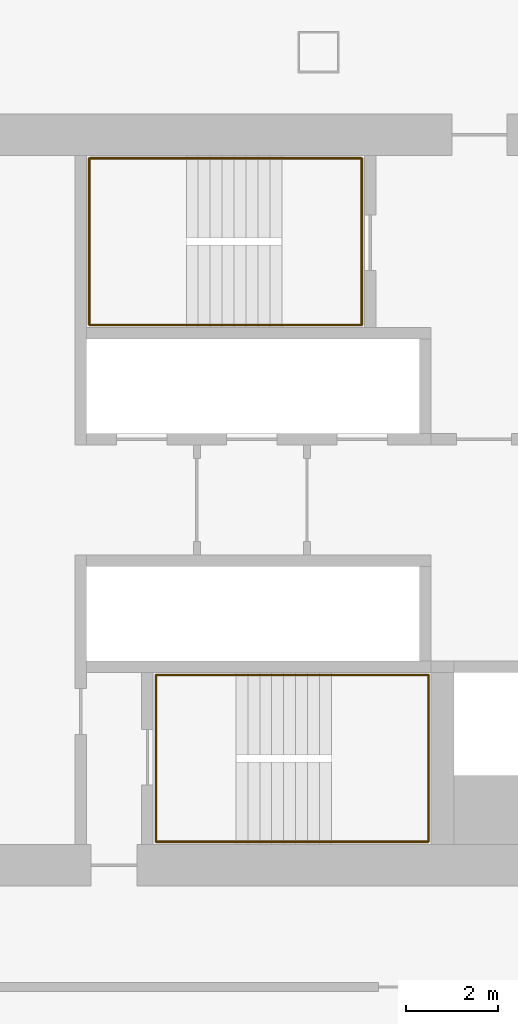
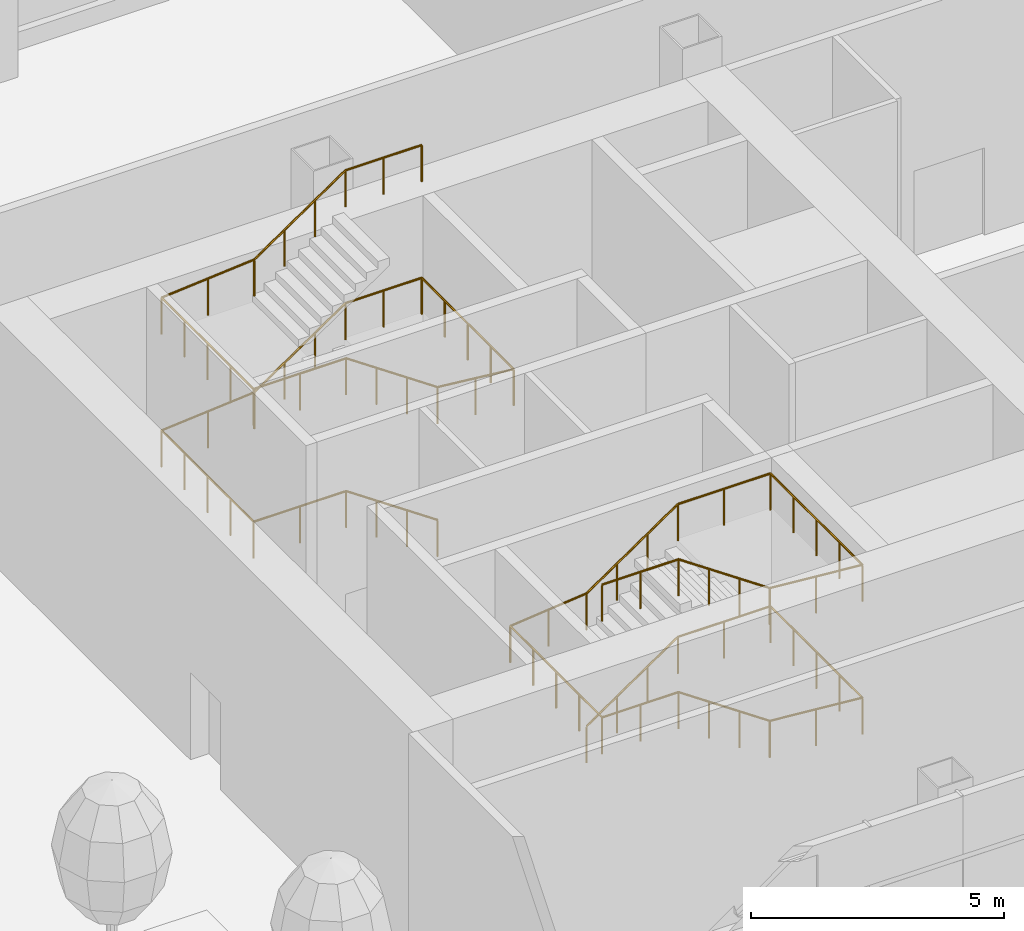
# One storey, part 35 of 44: 2 railings.
"""IFC4 building model written with IfcOpenShell, lengths in metres."""

from ifc_helpers import new_model, si_unit, direction, frame, origin, origin_2d, place, context, subcontext, project, spatial, circle, extrude, material, type_object, element, save


model = new_model("IFC4")

# Units and contexts
model_context = context("Model", 3, precision=1e-05, world=origin(), true_north=direction((0.0, 1.0)))
body_context = subcontext(model_context, "Body", "Model", "MODEL_VIEW")
ifc_project = project(units=[si_unit("LENGTHUNIT", "METRE"), si_unit("AREAUNIT", "SQUARE_METRE"), si_unit("VOLUMEUNIT", "CUBIC_METRE"), si_unit("PLANEANGLEUNIT", "RADIAN"), si_unit("MASSUNIT", "GRAM", prefix="KILO")], contexts=[model_context])

# Site, building, storey
site_placement = place(None, origin())
site = spatial("IfcSite", under=ifc_project, at=site_placement, CompositionType="ELEMENT")
building_placement = place(site_placement, origin())
building = spatial("IfcBuilding", under=site, at=building_placement, Name="Hakoniwa Tower and Hamabe Station Hall", CompositionType="ELEMENT")
storey_placement = place(building_placement, frame((0.0, 0.0, 69.0)))
storey = spatial("IfcBuildingStorey", under=building, at=storey_placement, Name="L19", CompositionType="ELEMENT", Elevation=69.0)

# Railings
ifc_material = material(Name="Stainless steel SUS304", Category="steel")
railing_type = type_object("IfcRailingType", Name="STAIR HANDRAIL 900", PredefinedType="HANDRAIL", material=ifc_material)
railing_1_placement = place(storey_placement, frame((24.39990234375, 3.81005859375, 0.177734375)))
element("IfcRailing", 1, at=railing_1_placement, inside=storey, type_object=railing_type, Name="Handrail ST-3 L19 1", PredefinedType="HANDRAIL", context=body_context, shape_type="SweptSolid", body=[
    extrude(circle(Radius=0.02392578125, at=origin_2d()), frame((0.0, 0.0, 0.8759765625), z_axis=(-0.825433201882, 0.0, 0.564499804456), x_axis=(0.0, -1.0, 0.0)), (0.0, 0.0, 1.0), 2.519775390625),
    extrude(circle(Radius=0.02392578125, at=origin_2d()), frame((-2.079833984375, 0.0, 2.29833984375), z_axis=(-1.0, 0.0, 0.0), x_axis=(0.0, -1.0, 0.0)), (0.0, 0.0, 1.0), 2.110107421875),
    extrude(circle(Radius=0.02392578125, at=origin_2d()), frame((-4.18994140625, 0.0, 2.29833984375), z_axis=(0.0, 1.0, 0.0), x_axis=(-1.0, 0.0, 0.0)), (0.0, 0.0, 1.0), 3.6298828125),
    extrude(circle(Radius=0.02392578125, at=origin_2d()), frame((-4.18994140625, 3.6298828125, 2.29833984375), z_axis=(0.996471417081, 0.0, 0.083932800143), x_axis=(0.0, 1.0, 0.0)), (0.0, 0.0, 1.0), 2.11767578125),
    extrude(circle(Radius=0.02392578125, at=origin_2d()), frame((-2.079833984375, 3.6298828125, 2.47607421875), z_axis=(0.825478349766, 0.0, 0.564433781827), x_axis=(0.0, 1.0, 0.0)), (0.0, 0.0, 1.0), 2.51953125),
    extrude(circle(Radius=0.02392578125, at=origin_2d()), frame((0.0, 3.6298828125, 3.89794921875), z_axis=(1.0, 0.0, 0.0), x_axis=(0.0, 1.0, 0.0)), (0.0, 0.0, 1.0), 1.739990234375),
    extrude(circle(Radius=0.02392578125, at=origin_2d()), frame((1.739990234375, 3.6298828125, 3.89794921875), z_axis=(0.0, -1.0, 0.0), x_axis=(1.0, 0.0, 0.0)), (0.0, 0.0, 1.0), 3.6298828125),
    extrude(circle(Radius=0.02392578125, at=origin_2d()), frame((1.739990234375, 0.0, 3.89794921875), z_axis=(-0.994823492686, 0.0, 0.10161800234), x_axis=(0.0, -1.0, 0.0)), (0.0, 0.0, 1.0), 1.7490234375),
    extrude(circle(Radius=0.02392578125, at=origin_2d()), frame((0.0, 0.0, 4.07568359375), z_axis=(-0.825433201882, 0.0, 0.564499804456), x_axis=(0.0, -1.0, 0.0)), (0.0, 0.0, 1.0), 2.519775390625),
    extrude(circle(Radius=0.02392578125, at=origin_2d()), frame((-2.079833984375, 0.0, 5.498046875), z_axis=(-1.0, 0.0, 0.0), x_axis=(0.0, -1.0, 0.0)), (0.0, 0.0, 1.0), 2.110107421875),
    extrude(circle(Radius=0.02392578125, at=origin_2d()), frame((-4.18994140625, 0.0, 5.498046875), z_axis=(0.0, 1.0, 0.0), x_axis=(-1.0, 0.0, 0.0)), (0.0, 0.0, 1.0), 3.6298828125),
    extrude(circle(Radius=0.02392578125, at=origin_2d()), frame((-4.18994140625, 3.6298828125, 5.498046875), z_axis=(0.996471417081, 0.0, 0.083932800143), x_axis=(0.0, 1.0, 0.0)), (0.0, 0.0, 1.0), 2.11767578125),
    extrude(circle(Radius=0.02392578125, at=origin_2d()), frame((-2.079833984375, 3.6298828125, 5.67578125), z_axis=(0.825478349766, 0.0, 0.564433781827), x_axis=(0.0, 1.0, 0.0)), (0.0, 0.0, 1.0), 2.51953125),
    extrude(circle(Radius=0.02392578125, at=origin_2d()), frame((0.0, 3.6298828125, 7.09814453125), z_axis=(1.0, 0.0, 0.0), x_axis=(0.0, 1.0, 0.0)), (0.0, 0.0, 1.0), 1.739990234375),
    extrude(circle(Radius=0.02099609375, at=origin_2d()), origin(), (0.0, 0.0, 1.0), 0.851806640625),
    extrude(circle(Radius=0.02099609375, at=origin_2d()), frame((-0.693359375, 0.0, 0.47412109375)), (0.0, 0.0, 1.0), 0.851806640625),
    extrude(circle(Radius=0.02099609375, at=origin_2d()), frame((-1.386474609375, 0.0, 0.9482421875)), (0.0, 0.0, 1.0), 0.851806640625),
    extrude(circle(Radius=0.02099609375, at=origin_2d()), frame((-2.079833984375, 0.0, 1.42236328125)), (0.0, 0.0, 1.0), 0.851806640625),
    extrude(circle(Radius=0.02099609375, at=origin_2d()), frame((-3.134765625, 0.0, 1.42236328125)), (0.0, 0.0, 1.0), 0.851806640625),
    extrude(circle(Radius=0.02099609375, at=origin_2d()), frame((-4.18994140625, 0.0, 1.42236328125)), (0.0, 0.0, 1.0), 0.851806640625),
    extrude(circle(Radius=0.02099609375, at=origin_2d()), frame((-4.18994140625, 0.907470703125, 1.42236328125)), (0.0, 0.0, 1.0), 0.851806640625),
    extrude(circle(Radius=0.02099609375, at=origin_2d()), frame((-4.18994140625, 1.81494140625, 1.42236328125)), (0.0, 0.0, 1.0), 0.851806640625),
    extrude(circle(Radius=0.02099609375, at=origin_2d()), frame((-4.18994140625, 2.722412109375, 1.42236328125)), (0.0, 0.0, 1.0), 0.851806640625),
    extrude(circle(Radius=0.02099609375, at=origin_2d()), frame((-4.18994140625, 3.6298828125, 1.42236328125)), (0.0, 0.0, 1.0), 0.851806640625),
    extrude(circle(Radius=0.02099609375, at=origin_2d()), frame((-3.134765625, 3.6298828125, 1.51123046875)), (0.0, 0.0, 1.0), 0.851806640625),
    extrude(circle(Radius=0.02099609375, at=origin_2d()), frame((-2.079833984375, 3.6298828125, 1.60009765625)), (0.0, 0.0, 1.0), 0.851806640625),
    extrude(circle(Radius=0.02099609375, at=origin_2d()), frame((-1.386474609375, 3.6298828125, 2.07421875)), (0.0, 0.0, 1.0), 0.851806640625),
    extrude(circle(Radius=0.02099609375, at=origin_2d()), frame((-0.693359375, 3.6298828125, 2.548095703125)), (0.0, 0.0, 1.0), 0.851806640625),
    extrude(circle(Radius=0.02099609375, at=origin_2d()), frame((0.0, 3.6298828125, 3.022216796875)), (0.0, 0.0, 1.0), 0.851806640625),
    extrude(circle(Radius=0.02099609375, at=origin_2d()), frame((0.8701171875, 3.6298828125, 3.022216796875)), (0.0, 0.0, 1.0), 0.851806640625),
    extrude(circle(Radius=0.02099609375, at=origin_2d()), frame((1.739990234375, 3.6298828125, 3.022216796875)), (0.0, 0.0, 1.0), 0.851806640625),
    extrude(circle(Radius=0.02099609375, at=origin_2d()), frame((1.739990234375, 2.722412109375, 3.022216796875)), (0.0, 0.0, 1.0), 0.851806640625),
    extrude(circle(Radius=0.02099609375, at=origin_2d()), frame((1.739990234375, 1.81494140625, 3.022216796875)), (0.0, 0.0, 1.0), 0.851806640625),
    extrude(circle(Radius=0.02099609375, at=origin_2d()), frame((1.739990234375, 0.907470703125, 3.022216796875)), (0.0, 0.0, 1.0), 0.851806640625),
    extrude(circle(Radius=0.02099609375, at=origin_2d()), frame((1.739990234375, 0.0, 3.022216796875)), (0.0, 0.0, 1.0), 0.851806640625),
    extrude(circle(Radius=0.02099609375, at=origin_2d()), frame((0.8701171875, 0.0, 3.111083984375)), (0.0, 0.0, 1.0), 0.851806640625),
    extrude(circle(Radius=0.02099609375, at=origin_2d()), frame((0.0, 0.0, 3.199951171875)), (0.0, 0.0, 1.0), 0.851806640625),
    extrude(circle(Radius=0.02099609375, at=origin_2d()), frame((-0.693359375, 0.0, 3.674072265625)), (0.0, 0.0, 1.0), 0.851806640625),
    extrude(circle(Radius=0.02099609375, at=origin_2d()), frame((-1.386474609375, 0.0, 4.148193359375)), (0.0, 0.0, 1.0), 0.851806640625),
    extrude(circle(Radius=0.02099609375, at=origin_2d()), frame((-2.079833984375, 0.0, 4.622314453125)), (0.0, 0.0, 1.0), 0.851806640625),
    extrude(circle(Radius=0.02099609375, at=origin_2d()), frame((-3.134765625, 0.0, 4.622314453125)), (0.0, 0.0, 1.0), 0.851806640625),
    extrude(circle(Radius=0.02099609375, at=origin_2d()), frame((-4.18994140625, 0.0, 4.622314453125)), (0.0, 0.0, 1.0), 0.851806640625),
    extrude(circle(Radius=0.02099609375, at=origin_2d()), frame((-4.18994140625, 0.907470703125, 4.622314453125)), (0.0, 0.0, 1.0), 0.851806640625),
    extrude(circle(Radius=0.02099609375, at=origin_2d()), frame((-4.18994140625, 1.81494140625, 4.622314453125)), (0.0, 0.0, 1.0), 0.851806640625),
    extrude(circle(Radius=0.02099609375, at=origin_2d()), frame((-4.18994140625, 2.722412109375, 4.622314453125)), (0.0, 0.0, 1.0), 0.851806640625),
    extrude(circle(Radius=0.02099609375, at=origin_2d()), frame((-4.18994140625, 3.6298828125, 4.622314453125)), (0.0, 0.0, 1.0), 0.851806640625),
    extrude(circle(Radius=0.02099609375, at=origin_2d()), frame((-3.134765625, 3.6298828125, 4.711181640625)), (0.0, 0.0, 1.0), 0.851806640625),
    extrude(circle(Radius=0.02099609375, at=origin_2d()), frame((-2.079833984375, 3.6298828125, 4.800048828125)), (0.0, 0.0, 1.0), 0.851806640625),
    extrude(circle(Radius=0.02099609375, at=origin_2d()), frame((-1.386474609375, 3.6298828125, 5.274169921875)), (0.0, 0.0, 1.0), 0.851806640625),
    extrude(circle(Radius=0.02099609375, at=origin_2d()), frame((-0.693359375, 3.6298828125, 5.748046875)), (0.0, 0.0, 1.0), 0.851806640625),
    extrude(circle(Radius=0.02099609375, at=origin_2d()), frame((0.0, 3.6298828125, 6.22216796875)), (0.0, 0.0, 1.0), 0.851806640625),
    extrude(circle(Radius=0.02099609375, at=origin_2d()), frame((0.8701171875, 3.6298828125, 6.22216796875)), (0.0, 0.0, 1.0), 0.851806640625),
    extrude(circle(Radius=0.02099609375, at=origin_2d()), frame((1.739990234375, 3.6298828125, 6.22216796875)), (0.0, 0.0, 1.0), 0.851806640625),
])
railing_2_placement = place(storey_placement, frame((23.39990234375, -3.81005859375, 0.177734375)))
element("IfcRailing", 2, at=railing_2_placement, inside=storey, type_object=railing_type, Name="Handrail ST-4 L19 1", PredefinedType="HANDRAIL", context=body_context, shape_type="SweptSolid", body=[
    extrude(circle(Radius=0.02392578125, at=origin_2d()), frame((0.0, 0.0, 0.8759765625), z_axis=(0.825464074169, 0.0, 0.564454659168), x_axis=(0.0, 1.0, 0.0)), (0.0, 0.0, 1.0), 2.519775390625),
    extrude(circle(Radius=0.02392578125, at=origin_2d()), frame((2.080078125, 0.0, 2.29833984375), z_axis=(1.0, 0.0, 0.0), x_axis=(0.0, 1.0, 0.0)), (0.0, 0.0, 1.0), 2.110107421875),
    extrude(circle(Radius=0.02392578125, at=origin_2d()), frame((4.190185546875, 0.0, 2.29833984375), z_axis=(0.0, -1.0, 0.0), x_axis=(1.0, 0.0, 0.0)), (0.0, 0.0, 1.0), 3.6298828125),
    extrude(circle(Radius=0.02392578125, at=origin_2d()), frame((4.190185546875, -3.6298828125, 2.29833984375), z_axis=(-0.996471417081, 0.0, 0.083932800143), x_axis=(0.0, -1.0, 0.0)), (0.0, 0.0, 1.0), 2.11767578125),
    extrude(circle(Radius=0.02392578125, at=origin_2d()), frame((2.080078125, -3.6298828125, 2.47607421875), z_axis=(-0.82550921652, 0.0, 0.564388636881), x_axis=(0.0, -1.0, 0.0)), (0.0, 0.0, 1.0), 2.519775390625),
    extrude(circle(Radius=0.02392578125, at=origin_2d()), frame((0.0, -3.6298828125, 3.89794921875), z_axis=(-1.0, 0.0, 0.0), x_axis=(0.0, -1.0, 0.0)), (0.0, 0.0, 1.0), 1.739990234375),
    extrude(circle(Radius=0.02392578125, at=origin_2d()), frame((-1.739990234375, -3.6298828125, 3.89794921875), z_axis=(0.0, 1.0, 0.0), x_axis=(-1.0, 0.0, 0.0)), (0.0, 0.0, 1.0), 3.6298828125),
    extrude(circle(Radius=0.02392578125, at=origin_2d()), frame((-1.739990234375, 0.0, 3.89794921875), z_axis=(0.994823492686, 0.0, 0.10161800234), x_axis=(0.0, 1.0, 0.0)), (0.0, 0.0, 1.0), 1.7490234375),
    extrude(circle(Radius=0.02392578125, at=origin_2d()), frame((0.0, 0.0, 4.07568359375), z_axis=(0.825464074169, 0.0, 0.564454659168), x_axis=(0.0, 1.0, 0.0)), (0.0, 0.0, 1.0), 2.519775390625),
    extrude(circle(Radius=0.02392578125, at=origin_2d()), frame((2.080078125, 0.0, 5.498046875), z_axis=(1.0, 0.0, 0.0), x_axis=(0.0, 1.0, 0.0)), (0.0, 0.0, 1.0), 2.110107421875),
    extrude(circle(Radius=0.02392578125, at=origin_2d()), frame((4.190185546875, 0.0, 5.498046875), z_axis=(0.0, -1.0, 0.0), x_axis=(1.0, 0.0, 0.0)), (0.0, 0.0, 1.0), 3.6298828125),
    extrude(circle(Radius=0.02392578125, at=origin_2d()), frame((4.190185546875, -3.6298828125, 5.498046875), z_axis=(-0.996471417081, 0.0, 0.083932800143), x_axis=(0.0, -1.0, 0.0)), (0.0, 0.0, 1.0), 2.11767578125),
    extrude(circle(Radius=0.02392578125, at=origin_2d()), frame((2.080078125, -3.6298828125, 5.67578125), z_axis=(-0.82550921652, 0.0, 0.564388636881), x_axis=(0.0, -1.0, 0.0)), (0.0, 0.0, 1.0), 2.519775390625),
    extrude(circle(Radius=0.02392578125, at=origin_2d()), frame((0.0, -3.6298828125, 7.09814453125), z_axis=(-1.0, 0.0, 0.0), x_axis=(0.0, -1.0, 0.0)), (0.0, 0.0, 1.0), 1.739990234375),
    extrude(circle(Radius=0.02099609375, at=origin_2d()), origin(), (0.0, 0.0, 1.0), 0.851806640625),
    extrude(circle(Radius=0.02099609375, at=origin_2d()), frame((0.693359375, 0.0, 0.47412109375)), (0.0, 0.0, 1.0), 0.851806640625),
    extrude(circle(Radius=0.02099609375, at=origin_2d()), frame((1.38671875, 0.0, 0.9482421875)), (0.0, 0.0, 1.0), 0.851806640625),
    extrude(circle(Radius=0.02099609375, at=origin_2d()), frame((2.080078125, 0.0, 1.42236328125)), (0.0, 0.0, 1.0), 0.851806640625),
    extrude(circle(Radius=0.02099609375, at=origin_2d()), frame((3.13525390625, 0.0, 1.42236328125)), (0.0, 0.0, 1.0), 0.851806640625),
    extrude(circle(Radius=0.02099609375, at=origin_2d()), frame((4.190185546875, 0.0, 1.42236328125)), (0.0, 0.0, 1.0), 0.851806640625),
    extrude(circle(Radius=0.02099609375, at=origin_2d()), frame((4.190185546875, -0.907470703125, 1.42236328125)), (0.0, 0.0, 1.0), 0.851806640625),
    extrude(circle(Radius=0.02099609375, at=origin_2d()), frame((4.190185546875, -1.81494140625, 1.42236328125)), (0.0, 0.0, 1.0), 0.851806640625),
    extrude(circle(Radius=0.02099609375, at=origin_2d()), frame((4.190185546875, -2.722412109375, 1.42236328125)), (0.0, 0.0, 1.0), 0.851806640625),
    extrude(circle(Radius=0.02099609375, at=origin_2d()), frame((4.190185546875, -3.6298828125, 1.42236328125)), (0.0, 0.0, 1.0), 0.851806640625),
    extrude(circle(Radius=0.02099609375, at=origin_2d()), frame((3.13525390625, -3.6298828125, 1.51123046875)), (0.0, 0.0, 1.0), 0.851806640625),
    extrude(circle(Radius=0.02099609375, at=origin_2d()), frame((2.080078125, -3.6298828125, 1.60009765625)), (0.0, 0.0, 1.0), 0.851806640625),
    extrude(circle(Radius=0.02099609375, at=origin_2d()), frame((1.38671875, -3.6298828125, 2.07421875)), (0.0, 0.0, 1.0), 0.851806640625),
    extrude(circle(Radius=0.02099609375, at=origin_2d()), frame((0.693359375, -3.6298828125, 2.548095703125)), (0.0, 0.0, 1.0), 0.851806640625),
    extrude(circle(Radius=0.02099609375, at=origin_2d()), frame((0.0, -3.6298828125, 3.022216796875)), (0.0, 0.0, 1.0), 0.851806640625),
    extrude(circle(Radius=0.02099609375, at=origin_2d()), frame((-0.8701171875, -3.6298828125, 3.022216796875)), (0.0, 0.0, 1.0), 0.851806640625),
    extrude(circle(Radius=0.02099609375, at=origin_2d()), frame((-1.739990234375, -3.6298828125, 3.022216796875)), (0.0, 0.0, 1.0), 0.851806640625),
    extrude(circle(Radius=0.02099609375, at=origin_2d()), frame((-1.739990234375, -2.722412109375, 3.022216796875)), (0.0, 0.0, 1.0), 0.851806640625),
    extrude(circle(Radius=0.02099609375, at=origin_2d()), frame((-1.739990234375, -1.81494140625, 3.022216796875)), (0.0, 0.0, 1.0), 0.851806640625),
    extrude(circle(Radius=0.02099609375, at=origin_2d()), frame((-1.739990234375, -0.907470703125, 3.022216796875)), (0.0, 0.0, 1.0), 0.851806640625),
    extrude(circle(Radius=0.02099609375, at=origin_2d()), frame((-1.739990234375, 0.0, 3.022216796875)), (0.0, 0.0, 1.0), 0.851806640625),
    extrude(circle(Radius=0.02099609375, at=origin_2d()), frame((-0.8701171875, 0.0, 3.111083984375)), (0.0, 0.0, 1.0), 0.851806640625),
    extrude(circle(Radius=0.02099609375, at=origin_2d()), frame((0.0, 0.0, 3.199951171875)), (0.0, 0.0, 1.0), 0.851806640625),
    extrude(circle(Radius=0.02099609375, at=origin_2d()), frame((0.693359375, 0.0, 3.674072265625)), (0.0, 0.0, 1.0), 0.851806640625),
    extrude(circle(Radius=0.02099609375, at=origin_2d()), frame((1.38671875, 0.0, 4.148193359375)), (0.0, 0.0, 1.0), 0.851806640625),
    extrude(circle(Radius=0.02099609375, at=origin_2d()), frame((2.080078125, 0.0, 4.622314453125)), (0.0, 0.0, 1.0), 0.851806640625),
    extrude(circle(Radius=0.02099609375, at=origin_2d()), frame((3.13525390625, 0.0, 4.622314453125)), (0.0, 0.0, 1.0), 0.851806640625),
    extrude(circle(Radius=0.02099609375, at=origin_2d()), frame((4.190185546875, 0.0, 4.622314453125)), (0.0, 0.0, 1.0), 0.851806640625),
    extrude(circle(Radius=0.02099609375, at=origin_2d()), frame((4.190185546875, -0.907470703125, 4.622314453125)), (0.0, 0.0, 1.0), 0.851806640625),
    extrude(circle(Radius=0.02099609375, at=origin_2d()), frame((4.190185546875, -1.81494140625, 4.622314453125)), (0.0, 0.0, 1.0), 0.851806640625),
    extrude(circle(Radius=0.02099609375, at=origin_2d()), frame((4.190185546875, -2.722412109375, 4.622314453125)), (0.0, 0.0, 1.0), 0.851806640625),
    extrude(circle(Radius=0.02099609375, at=origin_2d()), frame((4.190185546875, -3.6298828125, 4.622314453125)), (0.0, 0.0, 1.0), 0.851806640625),
    extrude(circle(Radius=0.02099609375, at=origin_2d()), frame((3.13525390625, -3.6298828125, 4.711181640625)), (0.0, 0.0, 1.0), 0.851806640625),
    extrude(circle(Radius=0.02099609375, at=origin_2d()), frame((2.080078125, -3.6298828125, 4.800048828125)), (0.0, 0.0, 1.0), 0.851806640625),
    extrude(circle(Radius=0.02099609375, at=origin_2d()), frame((1.38671875, -3.6298828125, 5.274169921875)), (0.0, 0.0, 1.0), 0.851806640625),
    extrude(circle(Radius=0.02099609375, at=origin_2d()), frame((0.693359375, -3.6298828125, 5.748046875)), (0.0, 0.0, 1.0), 0.851806640625),
    extrude(circle(Radius=0.02099609375, at=origin_2d()), frame((0.0, -3.6298828125, 6.22216796875)), (0.0, 0.0, 1.0), 0.851806640625),
    extrude(circle(Radius=0.02099609375, at=origin_2d()), frame((-0.8701171875, -3.6298828125, 6.22216796875)), (0.0, 0.0, 1.0), 0.851806640625),
    extrude(circle(Radius=0.02099609375, at=origin_2d()), frame((-1.739990234375, -3.6298828125, 6.22216796875)), (0.0, 0.0, 1.0), 0.851806640625),
])

save(model, "model.ifc")
